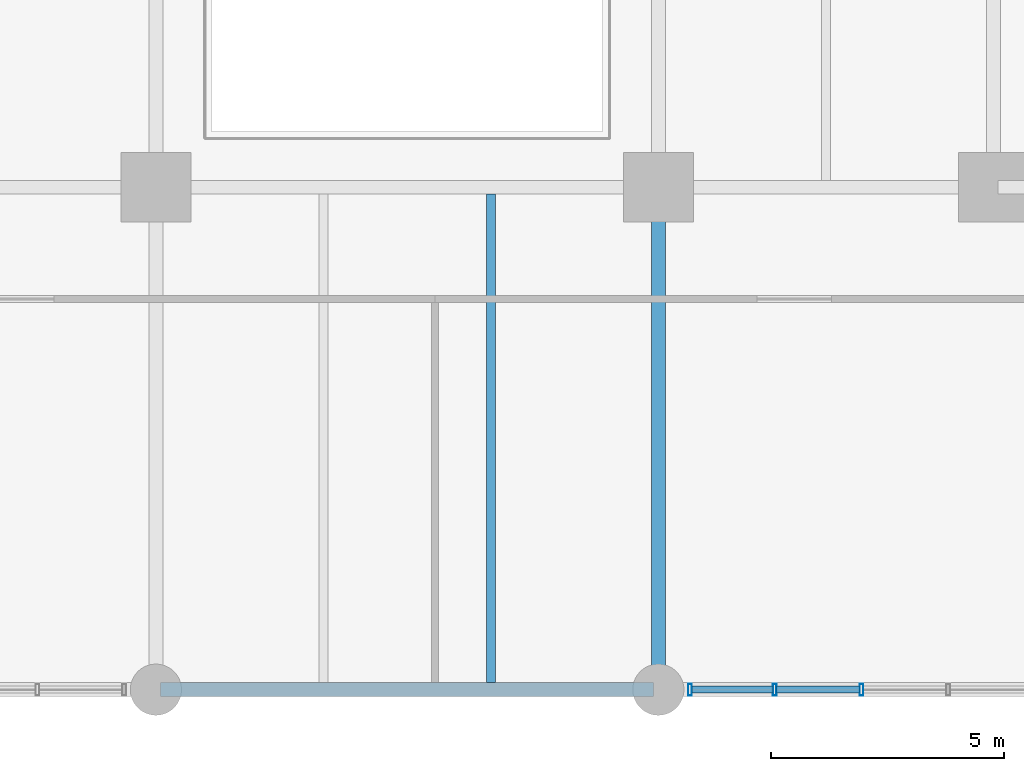
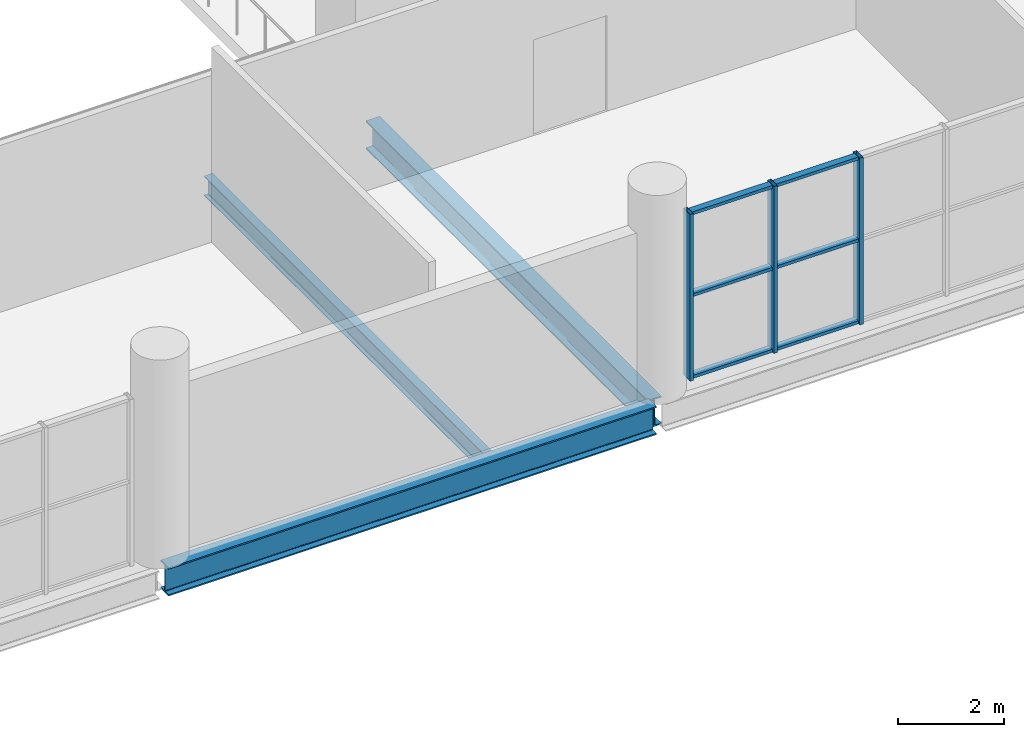
# One storey, part 6 of 16: 9 members, 3 beams, 1 element without a shape of its own.
"""IFC4 building model written with IfcOpenShell, lengths in metres."""

from ifc_helpers import new_model, si_unit, direction, frame, origin, origin_2d, place, context, subcontext, project, spatial, hollow_rectangle, i_section, extrude, material, layer, layer_set, material_profile, profile_set, type_object, element, aggregate, save


model = new_model("IFC4")

# Units and contexts
model_context = context("Model", 3, precision=1e-05, world=origin(), true_north=direction((0.0, 1.0)))
body_context = subcontext(model_context, "Body", "Model", "MODEL_VIEW")
ifc_project = project(units=[si_unit("LENGTHUNIT", "METRE"), si_unit("AREAUNIT", "SQUARE_METRE"), si_unit("VOLUMEUNIT", "CUBIC_METRE"), si_unit("PLANEANGLEUNIT", "RADIAN"), si_unit("MASSUNIT", "GRAM", prefix="KILO")], contexts=[model_context])

# Site, building, storey
site_placement = place(None, origin())
site = spatial("IfcSite", under=ifc_project, at=site_placement, CompositionType="ELEMENT")
building_placement = place(site_placement, origin())
building = spatial("IfcBuilding", under=site, at=building_placement, Name="Solnavia Interchange Tower", CompositionType="ELEMENT")
storey_placement = place(building_placement, frame((0.0, 0.0, 5.39990234375)))
storey = spatial("IfcBuildingStorey", under=building, at=storey_placement, Name="L01", CompositionType="ELEMENT", Elevation=5.39990234375)

# Beams
ifc_material_1 = material(Name="Steel S460", Category="steel")
ifc_material_profile_1 = material_profile(ifc_material_1, i_section(OverallWidth=0.300048828125, OverallDepth=0.64990234375, WebThickness=0.01611328125, FlangeThickness=0.031005859375, FilletRadius=0.027099609375, at=origin_2d()), Name="HEB 650")
ifc_profile_set_1 = profile_set([ifc_material_profile_1], Name="Steel S460")
beam_type_1 = type_object("IfcBeamType", Name="Beam-Girder-HEB650", PredefinedType="BEAM", material=ifc_profile_set_1)
for number, where, z_axis, x_axis, name in (
    (1, (43.300048828125, 0.0, -0.625), (1.0, 0.0, 0.0), (0.0, 1.0, 0.0), "GRD-L01-05 Podium primary girder"),
    (2, (54.0, 0.10009765625, -0.625), (0.0, 1.0, 0.0), (-1.0, 0.0, 0.0), "GRD-L01-67 Podium primary girder"),
):
    element("IfcBeam", number, at=place(storey_placement, frame(where, z_axis=z_axis, x_axis=x_axis)), inside=storey, type_object=beam_type_1, Name=name, PredefinedType="BEAM", context=body_context, shape_type="SweptSolid", body=[
        extrude(i_section(OverallWidth=0.300048828125, OverallDepth=0.64990234375, WebThickness=0.01611328125, FlangeThickness=0.031005859375, FilletRadius=0.027099609375, at=origin_2d()), origin(), (0.0, 0.0, 1.0), 10.599853515625),
    ])
ifc_material_2 = material(Name="Steel S355", Category="steel")
ifc_material_profile_2 = material_profile(ifc_material_2, i_section(OverallWidth=0.18994140625, OverallDepth=0.449951171875, WebThickness=0.009521484375, FlangeThickness=0.0146484375, FilletRadius=0.02099609375, at=origin_2d()), Name="IPE 450")
ifc_profile_set_2 = profile_set([ifc_material_profile_2], Name="Steel S355")
beam_type_2 = type_object("IfcBeamType", Name="Beam-Joist-IPE450", PredefinedType="JOIST", material=ifc_profile_set_2)
beam_placement = place(storey_placement, frame((50.39990234375, 0.14990234375, -0.52490234375), z_axis=(0.0, 1.0, 0.0), x_axis=(-1.0, 0.0, 0.0)))
element("IfcBeam", 3, at=beam_placement, inside=storey, type_object=beam_type_2, Name="JST-L01-31 Podium composite floor joist", PredefinedType="JOIST", context=body_context, shape_type="SweptSolid", body=[
    extrude(i_section(OverallWidth=0.18994140625, OverallDepth=0.449951171875, WebThickness=0.009521484375, FlangeThickness=0.0146484375, FilletRadius=0.02099609375, at=origin_2d()), origin(), (0.0, 0.0, 1.0), 10.5),
])

# Curtain wall, members
ifc_material_3 = material(Name="Aluminium Alloy 6063-T6", Category="aluminium")
ifc_layer = layer(ifc_material_3, 0.27001953125)
ifc_layer_set = layer_set([ifc_layer], Name="Aluminium Alloy 6063-T6")
curtain_wall_type = type_object("IfcCurtainWallType", Name="CurtainWall-Podium-CTW1", PredefinedType="NOTDEFINED", material=ifc_layer_set)
curtain_wall_placement = place(storey_placement, origin())
curtain_wall = element("IfcCurtainWall", 4, at=curtain_wall_placement, inside=storey, type_object=curtain_wall_type, Name="CTW-L01-S06 CTW-1 curtain wall", PredefinedType="NOTDEFINED")
ifc_material_profile_3 = material_profile(ifc_material_3, hollow_rectangle(XDim=0.080078125, YDim=0.25, WallThickness=0.006103515625, at=origin_2d()), Name="ALU 250x80x6")
ifc_profile_set_3 = profile_set([ifc_material_profile_3], Name="Aluminium Alloy 6063-T6")
member_type_1 = type_object("IfcMemberType", Name="CW-Mullion-CWM-1", PredefinedType="MULLION", material=ifc_profile_set_3)
member_1_placement = place(storey_placement, frame((58.367919921875, 0.0, 0.0), z_axis=(0.0, 0.0, 1.0), x_axis=(-1.0, 0.0, 0.0)))
member_1 = element("IfcMember", 5, at=member_1_placement, type_object=member_type_1, Name="CTW-1 mullion 4", PredefinedType="MULLION", context=body_context, shape_type="SweptSolid", body=[
    extrude(hollow_rectangle(XDim=0.080078125, YDim=0.25, WallThickness=0.006103515625, at=origin_2d()), origin(), (0.0, 0.0, 1.0), 3.830078125),
])
member_2_placement = place(storey_placement, frame((56.50390625, 0.0, 0.0), z_axis=(0.0, 0.0, 1.0), x_axis=(-1.0, 0.0, 0.0)))
member_2 = element("IfcMember", 6, at=member_2_placement, type_object=member_type_1, Name="CTW-1 mullion 5", PredefinedType="MULLION", context=body_context, shape_type="SweptSolid", body=[
    extrude(hollow_rectangle(XDim=0.080078125, YDim=0.25, WallThickness=0.006103515625, at=origin_2d()), origin(), (0.0, 0.0, 1.0), 3.830078125),
])
member_3_placement = place(storey_placement, frame((54.679931640625, 0.0, 0.0), z_axis=(0.0, 0.0, 1.0), x_axis=(-1.0, 0.0, 0.0)))
member_3 = element("IfcMember", 7, at=member_3_placement, type_object=member_type_1, Name="CTW-1 mullion 6", PredefinedType="MULLION", context=body_context, shape_type="SweptSolid", body=[
    extrude(hollow_rectangle(XDim=0.080078125, YDim=0.25, WallThickness=0.006103515625, at=origin_2d()), origin(), (0.0, 0.0, 1.0), 3.830078125),
])
ifc_material_profile_4 = material_profile(ifc_material_3, hollow_rectangle(XDim=0.070068359375, YDim=0.14990234375, WallThickness=0.00439453125, at=origin_2d()), Name="ALU 150x70x4.5")
ifc_profile_set_4 = profile_set([ifc_material_profile_4], Name="Aluminium Alloy 6063-T6")
member_type_2 = type_object("IfcMemberType", Name="CW-Transom-CWT-1", PredefinedType="USERDEFINED", material=ifc_profile_set_4)
member_4_placement = place(storey_placement, frame((58.327880859375, 0.0, 0.03515625), z_axis=(-1.0, 0.0, 0.0), x_axis=(0.0, 0.0, 1.0)))
member_4 = element("IfcMember", 8, at=member_4_placement, type_object=member_type_2, Name="CTW-1 transom 4.1", ObjectType="TRANSOM", PredefinedType="USERDEFINED", context=body_context, shape_type="SweptSolid", body=[
    extrude(hollow_rectangle(XDim=0.070068359375, YDim=0.14990234375, WallThickness=0.00439453125, at=origin_2d()), origin(), (0.0, 0.0, 1.0), 1.783935546875),
])
member_5_placement = place(storey_placement, frame((58.327880859375, 0.0, 1.9150390625), z_axis=(-1.0, 0.0, 0.0), x_axis=(0.0, 0.0, 1.0)))
member_5 = element("IfcMember", 9, at=member_5_placement, type_object=member_type_2, Name="CTW-1 transom 4.2", ObjectType="TRANSOM", PredefinedType="USERDEFINED", context=body_context, shape_type="SweptSolid", body=[
    extrude(hollow_rectangle(XDim=0.070068359375, YDim=0.14990234375, WallThickness=0.00439453125, at=origin_2d()), origin(), (0.0, 0.0, 1.0), 1.783935546875),
])
member_6_placement = place(storey_placement, frame((58.327880859375, 0.0, 3.795166015625), z_axis=(-1.0, 0.0, 0.0), x_axis=(0.0, 0.0, 1.0)))
member_6 = element("IfcMember", 10, at=member_6_placement, type_object=member_type_2, Name="CTW-1 transom 4.3", ObjectType="TRANSOM", PredefinedType="USERDEFINED", context=body_context, shape_type="SweptSolid", body=[
    extrude(hollow_rectangle(XDim=0.070068359375, YDim=0.14990234375, WallThickness=0.00439453125, at=origin_2d()), origin(), (0.0, 0.0, 1.0), 1.783935546875),
])
member_7_placement = place(storey_placement, frame((56.464111328125, 0.0, 0.03515625), z_axis=(-1.0, 0.0, 0.0), x_axis=(0.0, 0.0, 1.0)))
member_7 = element("IfcMember", 11, at=member_7_placement, type_object=member_type_2, Name="CTW-1 transom 5.1", ObjectType="TRANSOM", PredefinedType="USERDEFINED", context=body_context, shape_type="SweptSolid", body=[
    extrude(hollow_rectangle(XDim=0.070068359375, YDim=0.14990234375, WallThickness=0.00439453125, at=origin_2d()), origin(), (0.0, 0.0, 1.0), 1.744140625),
])
member_8_placement = place(storey_placement, frame((56.464111328125, 0.0, 1.9150390625), z_axis=(-1.0, 0.0, 0.0), x_axis=(0.0, 0.0, 1.0)))
member_8 = element("IfcMember", 12, at=member_8_placement, type_object=member_type_2, Name="CTW-1 transom 5.2", ObjectType="TRANSOM", PredefinedType="USERDEFINED", context=body_context, shape_type="SweptSolid", body=[
    extrude(hollow_rectangle(XDim=0.070068359375, YDim=0.14990234375, WallThickness=0.00439453125, at=origin_2d()), origin(), (0.0, 0.0, 1.0), 1.744140625),
])
member_9_placement = place(storey_placement, frame((56.464111328125, 0.0, 3.795166015625), z_axis=(-1.0, 0.0, 0.0), x_axis=(0.0, 0.0, 1.0)))
member_9 = element("IfcMember", 13, at=member_9_placement, type_object=member_type_2, Name="CTW-1 transom 5.3", ObjectType="TRANSOM", PredefinedType="USERDEFINED", context=body_context, shape_type="SweptSolid", body=[
    extrude(hollow_rectangle(XDim=0.070068359375, YDim=0.14990234375, WallThickness=0.00439453125, at=origin_2d()), origin(), (0.0, 0.0, 1.0), 1.744140625),
])
aggregate(curtain_wall, [member_1, member_2, member_3, member_4, member_5, member_6, member_7, member_8, member_9])

save(model, "model.ifc")
